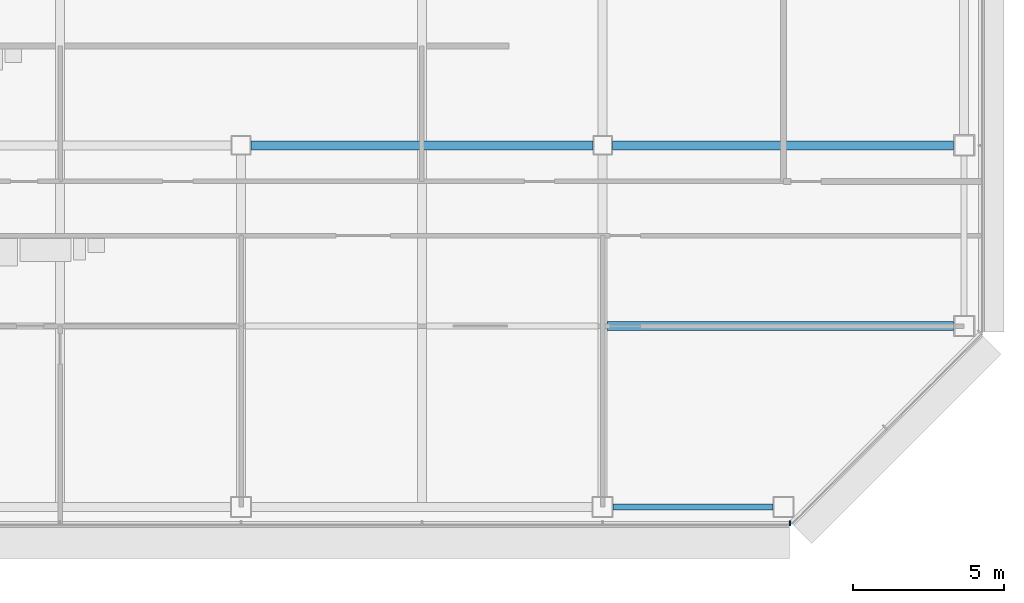
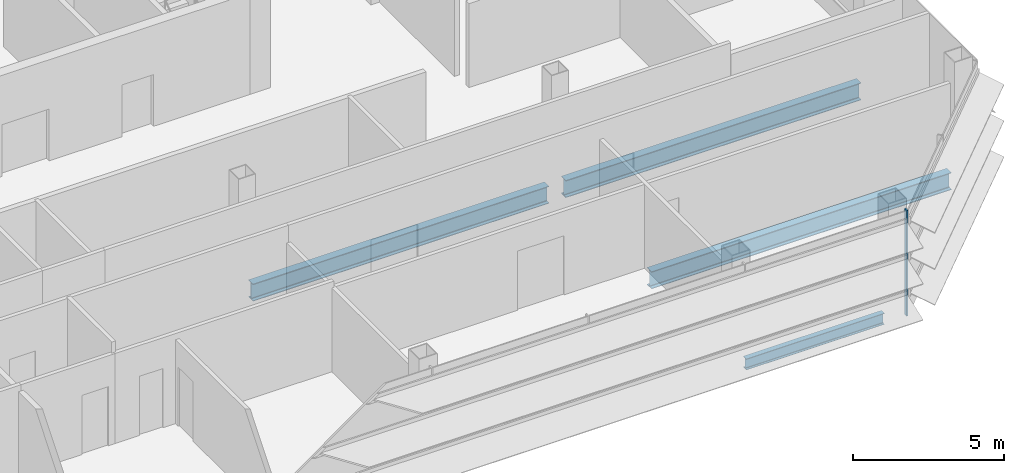
# One storey, part 9 of 26: 4 beams, 1 member, 1 element without a shape of its own.
"""IFC4 building model written with IfcOpenShell, lengths in metres."""

from ifc_helpers import new_model, si_unit, direction, frame, origin, origin_2d, place, context, subcontext, project, spatial, rectangle, i_section, extrude, material, material_profile, profile_set, type_object, element, aggregate, save


model = new_model("IFC4")

# Units and contexts
model_context = context("Model", 3, precision=1e-05, world=origin(), true_north=direction((0.0, 1.0)))
body_context = subcontext(model_context, "Body", "Model", "MODEL_VIEW")
ifc_project = project(units=[si_unit("LENGTHUNIT", "METRE"), si_unit("AREAUNIT", "SQUARE_METRE"), si_unit("VOLUMEUNIT", "CUBIC_METRE"), si_unit("PLANEANGLEUNIT", "RADIAN"), si_unit("MASSUNIT", "GRAM", prefix="KILO")], contexts=[model_context])

# Site, building, storey
site_placement = place(None, origin())
site = spatial("IfcSite", under=ifc_project, at=site_placement, CompositionType="ELEMENT")
building_placement = place(site_placement, origin())
building = spatial("IfcBuilding", under=site, at=building_placement, Name="Sorahane Residences", CompositionType="ELEMENT")
storey_placement = place(building_placement, frame((0.0, 0.0, 181.60009765625)))
storey = spatial("IfcBuildingStorey", under=building, at=storey_placement, Name="L42", CompositionType="ELEMENT", Elevation=181.60009765625)

# Curtain wall, member
ifc_material_1 = material(Name="Dark low-e glass and black anodised aluminium", Category="aluminium")
curtain_wall_type = type_object("IfcCurtainWallType", Name="Curtain wall CW-1 Typical unitised wall", PredefinedType="NOTDEFINED", material=ifc_material_1)
curtain_wall_placement = place(storey_placement, origin())
curtain_wall = element("IfcCurtainWall", 1, at=curtain_wall_placement, inside=storey, type_object=curtain_wall_type, Name="CW-1 curtain wall L42 S1", PredefinedType="NOTDEFINED")
ifc_material_2 = material(Name="Black anodised aluminium", Category="aluminium")
ifc_material_profile_1 = material_profile(ifc_material_2, rectangle(XDim=0.159912109375, YDim=0.050048828125, at=origin_2d()), Name="Curtain wall mullion CW-1 black anodised aluminium 50x160")
ifc_profile_set_1 = profile_set([ifc_material_profile_1], Name="Black anodised aluminium")
member_type = type_object("IfcMemberType", Name="Curtain wall mullion CW-1 black anodised aluminium 50x160", PredefinedType="MULLION", material=ifc_profile_set_1)
member_placement = place(storey_placement, frame((54.2236328125, -0.5400390625, -0.18017578125), z_axis=(0.0, 0.0, 1.0), x_axis=(0.0, -1.0, 0.0)))
member = element("IfcMember", 2, at=member_placement, type_object=member_type, Name="CW-1 mullion L42 S1.10", PredefinedType="MULLION", context=body_context, shape_type="SweptSolid", body=[
    extrude(rectangle(XDim=0.159912109375, YDim=0.050048828125, at=origin_2d()), origin(), (0.0, 0.0, 1.0), 4.280029296875),
])
aggregate(curtain_wall, [member])

# Beams
ifc_material_3 = material(Name="Steel Q355B", Category="steel")
ifc_material_profile_2 = material_profile(ifc_material_3, i_section(OverallWidth=0.199951171875, OverallDepth=0.449951171875, WebThickness=0.009033203125, FlangeThickness=0.013916015625, FilletRadius=0.02001953125, at=origin_2d()), Name="HN 450x200x9x14")
ifc_profile_set_2 = profile_set([ifc_material_profile_2], Name="Steel Q355B")
beam_type_1 = type_object("IfcBeamType", Name="Steel floor beam HN 450x200x9x14 Q355B", PredefinedType="BEAM", material=ifc_profile_set_2)
beam_1_placement = place(storey_placement, frame((48.35009765625, 0.0, -0.405029296875), z_axis=(1.0, 0.0, 0.0), x_axis=(0.0, 1.0, 0.0)))
element("IfcBeam", 3, at=beam_1_placement, inside=storey, type_object=beam_type_1, Name="Beam L42 004", PredefinedType="BEAM", context=body_context, shape_type="SweptSolid", body=[
    extrude(i_section(OverallWidth=0.199951171875, OverallDepth=0.449951171875, WebThickness=0.009033203125, FlangeThickness=0.013916015625, FilletRadius=0.02001953125, at=origin_2d()), origin(), (0.0, 0.0, 1.0), 5.2998046875),
])
ifc_material_4 = material(Name="Steel Q355B", Category="steel")
ifc_material_profile_3 = material_profile(ifc_material_4, i_section(OverallWidth=0.300048828125, OverallDepth=0.699951171875, WebThickness=0.012939453125, FlangeThickness=0.02392578125, FilletRadius=0.028076171875, at=origin_2d()), Name="HN 700x300x13x24")
ifc_profile_set_3 = profile_set([ifc_material_profile_3], Name="Steel Q355B")
beam_type_2 = type_object("IfcBeamType", Name="Steel floor beam HN 700x300x13x24 Q355B", PredefinedType="BEAM", material=ifc_profile_set_3)
beam_2_placement = place(storey_placement, frame((36.324951171875, 12.0, -0.530029296875), z_axis=(1.0, 0.0, 0.0), x_axis=(0.0, 1.0, 0.0)))
element("IfcBeam", 4, at=beam_2_placement, inside=storey, type_object=beam_type_2, Name="Beam L42 009", PredefinedType="BEAM", context=body_context, shape_type="SweptSolid", body=[
    extrude(i_section(OverallWidth=0.300048828125, OverallDepth=0.699951171875, WebThickness=0.012939453125, FlangeThickness=0.02392578125, FilletRadius=0.028076171875, at=origin_2d()), origin(), (0.0, 0.0, 1.0), 11.35009765625),
])
beam_3_placement = place(storey_placement, frame((48.324951171875, 12.0, -0.530029296875), z_axis=(1.0, 0.0, 0.0), x_axis=(0.0, 1.0, 0.0)))
element("IfcBeam", 5, at=beam_3_placement, inside=storey, type_object=beam_type_2, Name="Beam L42 010", PredefinedType="BEAM", context=body_context, shape_type="SweptSolid", body=[
    extrude(i_section(OverallWidth=0.300048828125, OverallDepth=0.699951171875, WebThickness=0.012939453125, FlangeThickness=0.02392578125, FilletRadius=0.028076171875, at=origin_2d()), origin(), (0.0, 0.0, 1.0), 11.324951171875),
])
beam_4_placement = place(storey_placement, frame((48.14990234375, 6.0, -0.530029296875), z_axis=(1.0, 0.0, 0.0), x_axis=(0.0, 1.0, 0.0)))
element("IfcBeam", 6, at=beam_4_placement, inside=storey, type_object=beam_type_2, Name="Beam L42 077", PredefinedType="BEAM", context=body_context, shape_type="SweptSolid", body=[
    extrude(i_section(OverallWidth=0.300048828125, OverallDepth=0.699951171875, WebThickness=0.012939453125, FlangeThickness=0.02392578125, FilletRadius=0.028076171875, at=origin_2d()), origin(), (0.0, 0.0, 1.0), 11.5),
])

save(model, "model.ifc")
